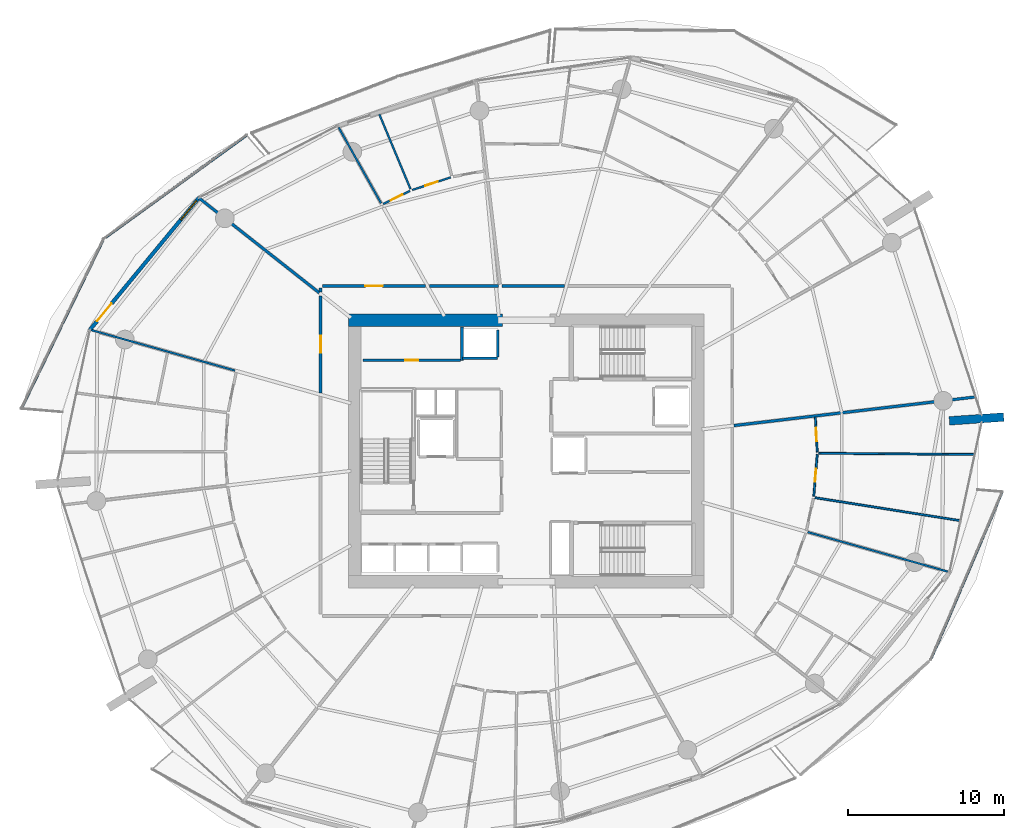
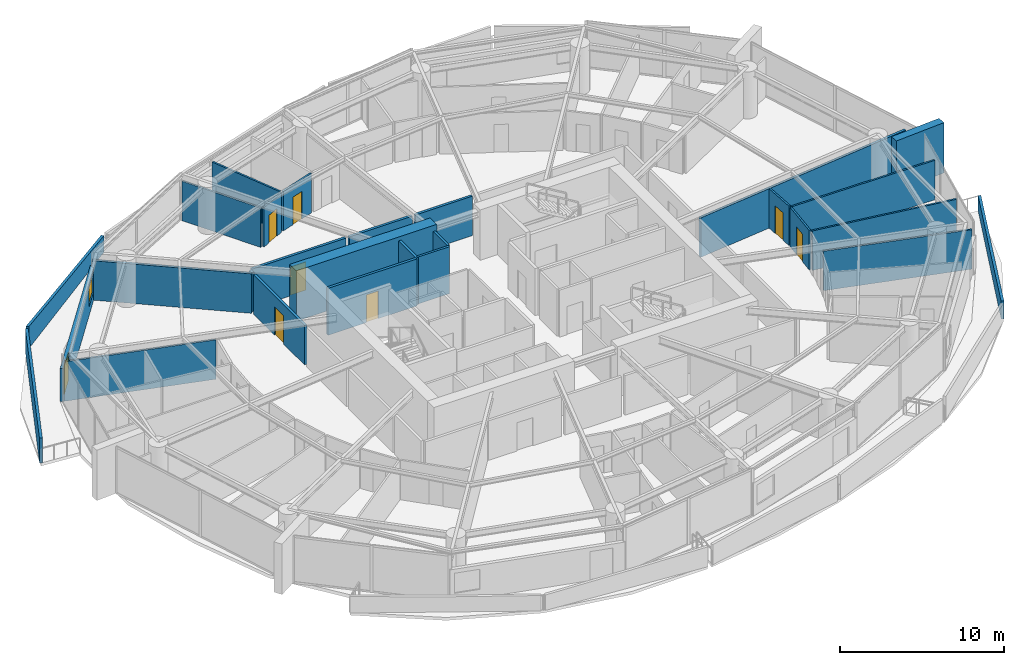
# One storey, part 14 of 23: 27 walls, 8 doors, 1 window, 9 openings.
"""IFC4 building model written with IfcOpenShell, lengths in metres."""

from ifc_helpers import new_model, si_unit, direction, frame, frame_2d, origin, place, context, subcontext, project, spatial, polyline, rectangle, outline, extrude, material, layer, layer_set, type_object, element, fill, save


model = new_model("IFC4")

# Units and contexts
model_context = context("Model", 3, precision=1e-05, world=origin(), true_north=direction((0.0, 1.0)))
body_context = subcontext(model_context, "Body", "Model", "MODEL_VIEW")
ifc_project = project(units=[si_unit("LENGTHUNIT", "METRE"), si_unit("AREAUNIT", "SQUARE_METRE"), si_unit("VOLUMEUNIT", "CUBIC_METRE"), si_unit("PLANEANGLEUNIT", "RADIAN"), si_unit("MASSUNIT", "GRAM", prefix="KILO")], contexts=[model_context])

# Site, building, storey
site_placement = place(None, origin())
site = spatial("IfcSite", under=ifc_project, at=site_placement, CompositionType="ELEMENT")
building_placement = place(site_placement, origin())
building = spatial("IfcBuilding", under=site, at=building_placement, Name="Kazma Halo Residences", CompositionType="ELEMENT")
storey_placement = place(building_placement, frame((0.0, 0.0, 101.39990234375)))
storey = spatial("IfcBuildingStorey", under=building, at=storey_placement, Name="L25", CompositionType="ELEMENT", Elevation=101.39990234375)

# Walls
ifc_material_1 = material(Name="White Concrete C50/60 Balustrade", Category="concrete")
ifc_layer_1 = layer(ifc_material_1, 0.179931640625)
ifc_layer_set_1 = layer_set([ifc_layer_1], Name="White Concrete C50/60 Balustrade")
wall_type_1 = type_object("IfcWallType", Name="WL-BAL-WAVE-180", PredefinedType="PARAPET", material=ifc_layer_set_1)
wall_1_placement = place(storey_placement, frame((30.4501953125, 62.295654296875, 0.0), z_axis=(0.0, 0.0, 1.0), x_axis=(-0.809764200103, -0.58675543477, 0.0)))
element("IfcWall", 1, at=wall_1_placement, inside=storey, type_object=wall_type_1, Name="L25 white wave balustrade wall NW.1", PredefinedType="PARAPET", context=body_context, shape_type="SweptSolid", body=[
    extrude(outline(polyline([(0.0, 0.0), (11.240966796875, 0.0), (11.2412109375, 1.632080078125), (5.62060546875, 1.418212890625), (0.0, 1.233154296875), (0.0, 0.0)])), frame((0.0, 0.08984375, 0.0), z_axis=(0.0, -1.0, 0.0), x_axis=(1.0, 0.0, 0.0)), (0.0, 0.0, 1.0), 0.179931640625),
])
wall_2_placement = place(storey_placement, frame((21.197998046875, 55.521484375, 0.0), z_axis=(0.0, 0.0, 1.0), x_axis=(-0.436107839058, -0.89989441198, 0.0)))
element("IfcWall", 2, at=wall_2_placement, inside=storey, type_object=wall_type_1, Name="L25 white wave balustrade wall NW.2", PredefinedType="PARAPET", context=body_context, shape_type="SweptSolid", body=[
    extrude(outline(polyline([(0.0, 0.0), (12.004638671875, 0.0), (12.0048828125, 1.860107421875), (6.00244140625, 1.798095703125), (0.0, 1.632080078125), (0.0, 0.0)])), frame((0.0, 0.08984375, 0.0), z_axis=(0.0, -1.0, 0.0), x_axis=(1.0, 0.0, 0.0)), (0.0, 0.0, 1.0), 0.179931640625),
])
wall_3_placement = place(storey_placement, frame((74.44189453125, 28.66162109375, 0.0), z_axis=(0.0, 0.0, 1.0), x_axis=(0.391761113394, 0.920066970406, 0.0)))
element("IfcWall", 3, at=wall_3_placement, inside=storey, type_object=wall_type_1, Name="L25 white wave balustrade wall SE.2", PredefinedType="PARAPET", context=body_context, shape_type="SweptSolid", body=[
    extrude(outline(polyline([(0.0, 0.0), (11.637939453125, 0.0), (11.63818359375, 1.1201171875), (5.819091796875, 1.18212890625), (0.0, 1.34814453125), (0.0, 0.0)])), frame((0.0, 0.08984375, 0.0), z_axis=(0.0, -1.0, 0.0), x_axis=(1.0, 0.0, 0.0)), (0.0, 0.0, 1.0), 0.179931640625),
])
ifc_material_2 = material(Name="Pale Concrete C60/75", Category="concrete")
ifc_layer_2 = layer(ifc_material_2, 0.550048828125)
ifc_layer_set_2 = layer_set([ifc_layer_2], Name="Pale Concrete C60/75")
wall_type_2 = type_object("IfcWallType", Name="WL-BLADE-550", PredefinedType="SOLIDWALL", material=ifc_layer_set_2)
wall_4_placement = place(storey_placement, frame((75.606201171875, 43.930419921875, 0.0), z_axis=(0.0, 0.0, 1.0), x_axis=(0.997564163539, 0.069754853754, 0.0)))
element("IfcWall", 4, at=wall_4_placement, inside=storey, type_object=wall_type_2, Name="L25 pale concrete structural blade fin wall BW-04", PredefinedType="SOLIDWALL", context=body_context, shape_type="SweptSolid", body=[
    extrude(rectangle(XDim=3.5, YDim=0.550048828125, at=frame_2d((1.75, 0.0))), origin(), (0.0, 0.0, 1.0), 3.75),
])
ifc_material_3 = material(Name="Concrete C80/95", Category="concrete")
ifc_layer_3 = layer(ifc_material_3, 0.800048828125)
ifc_layer_set_3 = layer_set([ifc_layer_3], Name="Concrete C80/95")
wall_type_3 = type_object("IfcWallType", Name="WL-CORE-800", PredefinedType="SHEAR", material=ifc_layer_set_3)
wall_5_placement = place(storey_placement, frame((37.0, 50.39990234375, 0.0), z_axis=(0.0, 0.0, 1.0), x_axis=(1.0, 0.0, 0.0)))
element("IfcWall", 5, at=wall_5_placement, inside=storey, type_object=wall_type_3, Name="L25 central core shear wall NW", PredefinedType="SHEAR", context=body_context, shape_type="SweptSolid", body=[
    extrude(rectangle(XDim=9.89990234375, YDim=0.800048828125, at=frame_2d((4.949951171875, 0.0))), origin(), (0.0, 0.0, 1.0), 3.75),
])
ifc_material_4 = material(Name="Acoustic Twin-Stud Gypsum")
ifc_layer_4 = layer(ifc_material_4, 0.179931640625)
ifc_layer_set_4 = layer_set([ifc_layer_4], Name="Acoustic Twin-Stud Gypsum")
wall_type_4 = type_object("IfcWallType", Name="WL-DEM-180", PredefinedType="PARTITIONING", material=ifc_layer_set_4)
wall_6_placement = place(storey_placement, frame((35.113525390625, 52.15869140625, 0.0), z_axis=(0.0, 0.0, 1.0), x_axis=(-0.785295873565, 0.619120659453, 0.0)))
element("IfcWall", 6, at=wall_6_placement, inside=storey, type_object=wall_type_4, Name="L25 apartment demising radial wall 05", PredefinedType="PARTITIONING", context=body_context, shape_type="SweptSolid", body=[
    extrude(rectangle(XDim=9.828857421875, YDim=0.179931640625, at=frame_2d((4.91455078125, 0.0))), origin(), (0.0, 0.0, 1.0), 2.940185546875),
])
wall_7_placement = place(storey_placement, frame((61.75927734375, 43.62841796875, 0.0), z_axis=(0.0, 0.0, 1.0), x_axis=(0.99306822875, 0.117539325539, 0.0)))
element("IfcWall", 7, at=wall_7_placement, inside=storey, type_object=wall_type_4, Name="L25 apartment demising radial wall 15", PredefinedType="PARTITIONING", context=body_context, shape_type="SweptSolid", body=[
    extrude(rectangle(XDim=15.6240234375, YDim=0.179931640625, at=frame_2d((7.81201171875, 0.0))), origin(), (0.0, 0.0, 1.0), 2.940185546875),
])

# Wall, opening, door
wall_8_placement = place(storey_placement, frame((35.199951171875, 51.970703125, 0.0), z_axis=(0.0, 0.0, 1.0), x_axis=(0.0, -1.0, 0.0)))
wall_8 = element("IfcWall", 8, at=wall_8_placement, inside=storey, type_object=wall_type_4, Name="L25 Apartment 1 entrance corridor wall", PredefinedType="PARTITIONING", context=body_context, shape_type="SweptSolid", body=[
    extrude(rectangle(XDim=6.24072265625, YDim=0.179931640625, at=frame_2d((3.120361328125, 0.0))), origin(), (0.0, 0.0, 1.0), 2.940185546875),
])
opening_1_placement = place(wall_8_placement, frame((2.5703125, 0.0, 0.0)))
opening_1 = element("IfcOpeningElement", 9, at=opening_1_placement, cuts=wall_8, Name="Opening DA-1100", PredefinedType="OPENING", context=body_context, shape_type="SweptSolid", body=[
    extrude(rectangle(XDim=1.10009765625, YDim=2.10009765625, at=frame_2d((0.550048828125, 1.050048828125))), frame((0.0, 0.099853515625, 0.0), z_axis=(0.0, -1.0, 0.0), x_axis=(1.0, 0.0, 0.0)), (0.0, 0.0, 1.0), 0.199951171875),
])
ifc_material_5 = material(Name="Acoustic Walnut Fire Leaf")
door_type_1 = type_object("IfcDoorType", Name="DR-FD60-1100", OperationType="NOTDEFINED", PredefinedType="DOOR", material=ifc_material_5)
door_1_placement = place(opening_1_placement, origin())
door_1 = element("IfcDoor", 10, at=door_1_placement, inside=storey, type_object=door_type_1, Name="L25 Apartment 1 entrance fire door", OperationType="SINGLE_SWING_LEFT", OverallHeight=2.10009765625, OverallWidth=1.10009765625, PredefinedType="DOOR", context=body_context, shape_type="SweptSolid", body=[
    extrude(rectangle(XDim=1.10009765625, YDim=2.10009765625, at=frame_2d((0.550048828125, 1.050048828125))), frame((0.0, 0.02490234375, 0.0), z_axis=(0.0, -1.0, 0.0), x_axis=(1.0, 0.0, 0.0)), (0.0, 0.0, 1.0), 0.050048828125),
])
fill(opening_1, door_1)

# Wall
wall_9_placement = place(storey_placement, frame((50.869384765625, 52.60009765625, 0.0), z_axis=(0.0, 0.0, 1.0), x_axis=(-1.0, 0.0, 0.0)))
element("IfcWall", 11, at=wall_9_placement, inside=storey, type_object=wall_type_4, Name="L25 Apartment 4 inner wall 2", PredefinedType="PARTITIONING", context=body_context, shape_type="SweptSolid", body=[
    extrude(rectangle(XDim=4.00390625, YDim=0.179931640625, at=frame_2d((2.001953125, 0.0))), origin(), (0.0, 0.0, 1.0), 2.940185546875),
])

# Wall, opening, door
wall_10_placement = place(storey_placement, frame((41.943603515625, 52.60009765625, 0.0), z_axis=(0.0, 0.0, 1.0), x_axis=(-1.0, 0.0, 0.0)))
wall_10 = element("IfcWall", 12, at=wall_10_placement, inside=storey, type_object=wall_type_4, Name="L25 Apartment 5 entrance corridor wall", PredefinedType="PARTITIONING", context=body_context, shape_type="SweptSolid", body=[
    extrude(rectangle(XDim=6.62353515625, YDim=0.179931640625, at=frame_2d((3.311767578125, 0.0))), origin(), (0.0, 0.0, 1.0), 2.940185546875),
])
opening_2_placement = place(wall_10_placement, frame((2.76171875, 0.0, 0.0)))
opening_2 = element("IfcOpeningElement", 13, at=opening_2_placement, cuts=wall_10, Name="Opening DA-1100", PredefinedType="OPENING", context=body_context, shape_type="SweptSolid", body=[
    extrude(rectangle(XDim=1.10009765625, YDim=2.10009765625, at=frame_2d((0.550048828125, 1.050048828125))), frame((0.0, 0.099853515625, 0.0), z_axis=(0.0, -1.0, 0.0), x_axis=(1.0, 0.0, 0.0)), (0.0, 0.0, 1.0), 0.199951171875),
])
door_2_placement = place(opening_2_placement, origin())
door_2 = element("IfcDoor", 14, at=door_2_placement, inside=storey, type_object=door_type_1, Name="L25 Apartment 5 entrance fire door", OperationType="SINGLE_SWING_LEFT", OverallHeight=2.10009765625, OverallWidth=1.10009765625, PredefinedType="DOOR", context=body_context, shape_type="SweptSolid", body=[
    extrude(rectangle(XDim=1.10009765625, YDim=2.10009765625, at=frame_2d((0.550048828125, 1.050048828125))), frame((0.0, 0.02490234375, 0.0), z_axis=(0.0, -1.0, 0.0), x_axis=(1.0, 0.0, 0.0)), (0.0, 0.0, 1.0), 0.050048828125),
])
fill(opening_2, door_2)

# Walls
wall_11_placement = place(storey_placement, frame((35.199951171875, 52.47998046875, 0.0), z_axis=(0.0, 0.0, 1.0), x_axis=(0.0, -1.0, 0.0)))
element("IfcWall", 15, at=wall_11_placement, inside=storey, type_object=wall_type_4, Name="L25 Apartment 5 entrance corridor wall", PredefinedType="PARTITIONING", context=body_context, shape_type="SweptSolid", body=[
    extrude(rectangle(XDim=0.269287109375, YDim=0.179931640625, at=frame_2d((0.134765625, 0.0))), origin(), (0.0, 0.0, 1.0), 2.940185546875),
])
wall_12_placement = place(storey_placement, frame((46.62548828125, 52.60009765625, 0.0), z_axis=(0.0, 0.0, 1.0), x_axis=(-1.0, 0.0, 0.0)))
element("IfcWall", 16, at=wall_12_placement, inside=storey, type_object=wall_type_4, Name="L25 Apartment 5 inner wall 3", PredefinedType="PARTITIONING", context=body_context, shape_type="SweptSolid", body=[
    extrude(rectangle(XDim=4.44189453125, YDim=0.179931640625, at=frame_2d((2.220947265625, 0.0))), origin(), (0.0, 0.0, 1.0), 2.940185546875),
])

# Wall, openings, door, window
ifc_material_6 = material(Name="Insulated Pale-Metal Composite Wall")
ifc_layer_5 = layer(ifc_material_6, 0.239990234375)
ifc_layer_set_5 = layer_set([ifc_layer_5], Name="Insulated Pale-Metal Composite Wall")
wall_type_5 = type_object("IfcWallType", Name="WL-EXT-HOST-240", PredefinedType="SOLIDWALL", material=ifc_layer_set_5)
wall_13_placement = place(storey_placement, frame((27.406982421875, 58.2978515625, 0.0), z_axis=(0.0, 0.0, 1.0), x_axis=(-0.636704975, -0.771107498868, 0.0)))
wall_13 = element("IfcWall", 17, at=wall_13_placement, inside=storey, type_object=wall_type_5, Name="L25 exterior terrace-access wall B06", PredefinedType="SOLIDWALL", context=body_context, shape_type="SweptSolid", body=[
    extrude(rectangle(XDim=11.084228515625, YDim=0.239990234375, at=frame_2d((5.5419921875, 0.0))), origin(), (0.0, 0.0, 1.0), 2.4501953125),
])
opening_3_placement = place(wall_13_placement, frame((8.8642578125, 0.0, 0.0)))
opening_3 = element("IfcOpeningElement", 18, at=opening_3_placement, cuts=wall_13, Name="Opening DTR-1600", PredefinedType="OPENING", context=body_context, shape_type="SweptSolid", body=[
    extrude(rectangle(XDim=1.449951171875, YDim=2.14990234375, at=frame_2d((0.72509765625, 1.074951171875))), frame((0.0, 0.1298828125, 0.0), z_axis=(0.0, -1.0, 0.0), x_axis=(1.0, 0.0, 0.0)), (0.0, 0.0, 1.0), 0.260009765625),
])
opening_4_placement = place(wall_13_placement, frame((0.280029296875, 0.0, 0.64990234375)))
opening_4 = element("IfcOpeningElement", 19, at=opening_4_placement, cuts=wall_13, Name="Opening W-1800", PredefinedType="OPENING", context=body_context, shape_type="SweptSolid", body=[
    extrude(rectangle(XDim=1.60009765625, YDim=1.5, at=frame_2d((0.800048828125, 0.75))), frame((0.0, 0.1298828125, 0.0), z_axis=(0.0, -1.0, 0.0), x_axis=(1.0, 0.0, 0.0)), (0.0, 0.0, 1.0), 0.260009765625),
])
ifc_material_7 = material(Name="Aluminium AW-6063 T6 Double-Glazed Terrace Door", Category="aluminium")
door_type_2 = type_object("IfcDoorType", Name="DR-EXT-TERR-1600", OperationType="NOTDEFINED", PredefinedType="DOOR", material=ifc_material_7)
door_3_placement = place(opening_3_placement, origin())
door_3 = element("IfcDoor", 20, at=door_3_placement, inside=storey, type_object=door_type_2, Name="L25 B06 balcony terrace door", OperationType="DOUBLE_DOOR_SLIDING", OverallHeight=2.14990234375, OverallWidth=1.449951171875, PredefinedType="DOOR", context=body_context, shape_type="SweptSolid", body=[
    extrude(rectangle(XDim=1.449951171875, YDim=2.14990234375, at=frame_2d((0.72509765625, 1.074951171875))), frame((0.0, 0.02490234375, 0.0), z_axis=(0.0, -1.0, 0.0), x_axis=(1.0, 0.0, 0.0)), (0.0, 0.0, 1.0), 0.050048828125),
])
fill(opening_3, door_3)
ifc_material_8 = material(Name="Clear Triple-Silver Low-E Glass in Aluminium AW-6063 T6 Frame", Category="aluminium")
window_type = type_object("IfcWindowType", Name="WIN-RES-1800", PartitioningType="DOUBLE_PANEL_VERTICAL", PredefinedType="WINDOW", material=ifc_material_8)
window_placement = place(opening_4_placement, origin())
window = element("IfcWindow", 21, at=window_placement, inside=storey, type_object=window_type, Name="L25 B06 apartment window", OverallHeight=1.5, OverallWidth=1.60009765625, PartitioningType="SINGLE_PANEL", PredefinedType="WINDOW", context=body_context, shape_type="SweptSolid", body=[
    extrude(rectangle(XDim=1.60009765625, YDim=1.5, at=frame_2d((0.800048828125, 0.75))), frame((0.0, 0.030029296875, 0.0), z_axis=(0.0, -1.0, 0.0), x_axis=(1.0, 0.0, 0.0)), (0.0, 0.0, 1.0), 0.06005859375),
])
fill(opening_4, window)

# Walls
ifc_material_9 = material(Name="Fire-Rated Blockwork Masonry", Category="masonry")
ifc_layer_6 = layer(ifc_material_9, 0.199951171875)
ifc_layer_set_6 = layer_set([ifc_layer_6], Name="Fire-Rated Blockwork Masonry")
wall_type_6 = type_object("IfcWallType", Name="WL-FLB-200", PredefinedType="PARTITIONING", material=ifc_layer_set_6)
wall_14_placement = place(storey_placement, frame((46.580078125, 47.945068359375, 0.0), z_axis=(0.0, 0.0, 1.0), x_axis=(-1.0, 0.0, 0.0)))
element("IfcWall", 22, at=wall_14_placement, inside=storey, type_object=wall_type_6, Name="L25 lift shaft PX-01 front wall", PredefinedType="PARTITIONING", context=body_context, shape_type="SweptSolid", body=[
    extrude(rectangle(XDim=2.260009765625, YDim=0.159912109375, at=frame_2d((1.1298828125, 0.0))), origin(), (0.0, 0.0, 1.0), 3.5),
])
wall_15_placement = place(storey_placement, frame((46.580078125, 48.044921875, 0.0), z_axis=(0.0, 0.0, 1.0), x_axis=(0.0, 1.0, 0.0)))
element("IfcWall", 23, at=wall_15_placement, inside=storey, type_object=wall_type_6, Name="L25 lift shaft PX-01 side wall E", PredefinedType="PARTITIONING", context=body_context, shape_type="SweptSolid", body=[
    extrude(rectangle(XDim=1.7099609375, YDim=0.159912109375, at=frame_2d((0.85498046875, 0.0))), origin(), (0.0, 0.0, 1.0), 3.5),
])

# Wall, opening, door
wall_16_placement = place(storey_placement, frame((37.919921875, 47.820068359375, 0.0), z_axis=(0.0, 0.0, 1.0), x_axis=(1.0, 0.0, 0.0)))
wall_16 = element("IfcWall", 24, at=wall_16_placement, inside=storey, type_object=wall_type_6, Name="L25 core north reserve wall", PredefinedType="PARTITIONING", context=body_context, shape_type="SweptSolid", body=[
    extrude(rectangle(XDim=6.260009765625, YDim=0.179931640625, at=frame_2d((3.1298828125, 0.0))), origin(), (0.0, 0.0, 1.0), 3.5),
])
opening_5_placement = place(wall_16_placement, frame((2.705078125, 0.0, 0.0)))
opening_5 = element("IfcOpeningElement", 25, at=opening_5_placement, cuts=wall_16, Name="Opening DS-850", PredefinedType="OPENING", context=body_context, shape_type="SweptSolid", body=[
    extrude(rectangle(XDim=0.85009765625, YDim=2.06005859375, at=frame_2d((0.425048828125, 1.030029296875))), frame((0.0, 0.099853515625, 0.0), z_axis=(0.0, -1.0, 0.0), x_axis=(1.0, 0.0, 0.0)), (0.0, 0.0, 1.0), 0.199951171875),
])
ifc_material_10 = material(Name="Painted Steel Access Leaf", Category="steel")
door_type_3 = type_object("IfcDoorType", Name="DR-SVC-850", OperationType="NOTDEFINED", PredefinedType="DOOR", material=ifc_material_10)
door_4_placement = place(opening_5_placement, origin())
door_4 = element("IfcDoor", 26, at=door_4_placement, inside=storey, type_object=door_type_3, Name="L25 core north reserve door", OperationType="SINGLE_SWING_LEFT", OverallHeight=2.06005859375, OverallWidth=0.85009765625, PredefinedType="DOOR", context=body_context, shape_type="SweptSolid", body=[
    extrude(rectangle(XDim=0.85009765625, YDim=2.06005859375, at=frame_2d((0.425048828125, 1.030029296875))), frame((0.0, 0.02490234375, 0.0), z_axis=(0.0, -1.0, 0.0), x_axis=(1.0, 0.0, 0.0)), (0.0, 0.0, 1.0), 0.050048828125),
])
fill(opening_5, door_4)

# Walls
wall_17_placement = place(storey_placement, frame((44.280029296875, 47.820068359375, 0.0), z_axis=(0.0, 0.0, 1.0), x_axis=(0.0, 1.0, 0.0)))
element("IfcWall", 27, at=wall_17_placement, inside=storey, type_object=wall_type_6, Name="L25 PX-01 hoistway west wall", PredefinedType="PARTITIONING", context=body_context, shape_type="SweptSolid", body=[
    extrude(rectangle(XDim=2.1298828125, YDim=0.179931640625, at=frame_2d((1.06494140625, 0.0))), origin(), (0.0, 0.0, 1.0), 3.5),
])
ifc_material_11 = material(Name="Gypsum Plasterboard Partition")
ifc_layer_7 = layer(ifc_material_11, 0.125)
ifc_layer_set_7 = layer_set([ifc_layer_7], Name="Gypsum Plasterboard Partition")
wall_type_7 = type_object("IfcWallType", Name="WL-PART-125", PredefinedType="PARTITIONING", material=ifc_layer_set_7)
wall_18_placement = place(storey_placement, frame((29.695068359375, 47.16259765625, 0.0), z_axis=(0.0, 0.0, 1.0), x_axis=(-0.962455839824, 0.271438310467, 0.0)))
element("IfcWall", 28, at=wall_18_placement, inside=storey, type_object=wall_type_7, Name="L25 Apartment 1 radial partition 6", PredefinedType="PARTITIONING", context=body_context, shape_type="SweptSolid", body=[
    extrude(rectangle(XDim=9.552001953125, YDim=0.125, at=frame_2d((4.77587890625, 0.0))), origin(), (0.0, 0.0, 1.0), 2.940185546875),
])
wall_19_placement = place(storey_placement, frame((66.500244140625, 36.782470703125, 0.0), z_axis=(0.0, 0.0, 1.0), x_axis=(0.962451600307, -0.271453342338, 0.0)))
element("IfcWall", 29, at=wall_19_placement, inside=storey, type_object=wall_type_7, Name="L25 Apartment 3 radial partition 14", PredefinedType="PARTITIONING", context=body_context, shape_type="SweptSolid", body=[
    extrude(rectangle(XDim=9.34912109375, YDim=0.125, at=frame_2d((4.674560546875, 0.0))), origin(), (0.0, 0.0, 1.0), 2.940185546875),
])
wall_20_placement = place(storey_placement, frame((66.9755859375, 38.99462890625, 0.0), z_axis=(0.0, 0.0, 1.0), x_axis=(0.987686752204, -0.156444493419, 0.0)))
element("IfcWall", 30, at=wall_20_placement, inside=storey, type_object=wall_type_7, Name="L25 Apartment 3 bay wall 1 14", PredefinedType="PARTITIONING", context=body_context, shape_type="SweptSolid", body=[
    extrude(rectangle(XDim=9.44287109375, YDim=0.125, at=frame_2d((4.721435546875, 0.0))), origin(), (0.0, 0.0, 1.0), 2.940185546875),
])
wall_21_placement = place(storey_placement, frame((67.21142578125, 41.84912109375, 0.0), z_axis=(0.0, 0.0, 1.0), x_axis=(0.999969120795, -0.007858591192, 0.0)))
element("IfcWall", 31, at=wall_21_placement, inside=storey, type_object=wall_type_7, Name="L25 Apartment 3 bay wall 2 14", PredefinedType="PARTITIONING", context=body_context, shape_type="SweptSolid", body=[
    extrude(rectangle(XDim=10.00341796875, YDim=0.125, at=frame_2d((5.001708984375, 0.0))), origin(), (0.0, 0.0, 1.0), 2.940185546875),
])

# Wall, opening, door
wall_22_placement = place(storey_placement, frame((66.893310546875, 39.08837890625, 0.0), z_axis=(0.0, 0.0, 1.0), x_axis=(0.082294564914, 0.996608049629, 0.0)))
wall_22 = element("IfcWall", 32, at=wall_22_placement, inside=storey, type_object=wall_type_7, Name="L25 Apartment 3 West Dressing Wardrobe hall wall", PredefinedType="PARTITIONING", context=body_context, shape_type="SweptSolid", body=[
    extrude(rectangle(XDim=2.690673828125, YDim=0.125, at=frame_2d((1.34521484375, 0.0))), origin(), (0.0, 0.0, 1.0), 2.940185546875),
])
opening_6_placement = place(wall_22_placement, frame((0.92041015625, 0.0, 0.0)))
opening_6 = element("IfcOpeningElement", 33, at=opening_6_placement, cuts=wall_22, Name="Opening DB-900", PredefinedType="OPENING", context=body_context, shape_type="SweptSolid", body=[
    extrude(rectangle(XDim=0.85009765625, YDim=2.06005859375, at=frame_2d((0.425048828125, 1.030029296875))), frame((0.0, 0.072509765625, 0.0), z_axis=(0.0, -1.0, 0.0), x_axis=(1.0, 0.0, 0.0)), (0.0, 0.0, 1.0), 0.14501953125),
])
ifc_material_12 = material(Name="Moisture-Sealed Timber Leaf", Category="wood")
door_type_4 = type_object("IfcDoorType", Name="DR-BTH-900", OperationType="NOTDEFINED", PredefinedType="DOOR", material=ifc_material_12)
door_5_placement = place(opening_6_placement, origin())
door_5 = element("IfcDoor", 34, at=door_5_placement, inside=storey, type_object=door_type_4, Name="L25 Apartment 3 West Dressing Wardrobe door", OperationType="SINGLE_SWING_RIGHT", OverallHeight=2.06005859375, OverallWidth=0.85009765625, PredefinedType="DOOR", context=body_context, shape_type="SweptSolid", body=[
    extrude(rectangle(XDim=0.85009765625, YDim=2.06005859375, at=frame_2d((0.425048828125, 1.030029296875))), frame((0.0, 0.02490234375, 0.0), z_axis=(0.0, -1.0, 0.0), x_axis=(1.0, 0.0, 0.0)), (0.0, 0.0, 1.0), 0.050048828125),
])
fill(opening_6, door_5)

wall_23_placement = place(storey_placement, frame((67.116943359375, 41.9296875, 0.0), z_axis=(0.0, 0.0, 1.0), x_axis=(-0.054896910866, 0.998492027598, 0.0)))
wall_23 = element("IfcWall", 35, at=wall_23_placement, inside=storey, type_object=wall_type_7, Name="L25 Apartment 3 North Bedroom hall wall", PredefinedType="PARTITIONING", context=body_context, shape_type="SweptSolid", body=[
    extrude(rectangle(XDim=2.241455078125, YDim=0.125, at=frame_2d((1.12060546875, 0.0))), origin(), (0.0, 0.0, 1.0), 2.940185546875),
])
opening_7_placement = place(wall_23_placement, frame((0.69580078125, 0.0, 0.0)))
opening_7 = element("IfcOpeningElement", 36, at=opening_7_placement, cuts=wall_23, Name="Opening DB-900", PredefinedType="OPENING", context=body_context, shape_type="SweptSolid", body=[
    extrude(rectangle(XDim=0.85009765625, YDim=2.06005859375, at=frame_2d((0.425048828125, 1.030029296875))), frame((0.0, 0.072509765625, 0.0), z_axis=(0.0, -1.0, 0.0), x_axis=(1.0, 0.0, 0.0)), (0.0, 0.0, 1.0), 0.14501953125),
])
door_6_placement = place(opening_7_placement, origin())
door_6 = element("IfcDoor", 37, at=door_6_placement, inside=storey, type_object=door_type_4, Name="L25 Apartment 3 North Bedroom door", OperationType="SINGLE_SWING_LEFT", OverallHeight=2.06005859375, OverallWidth=0.85009765625, PredefinedType="DOOR", context=body_context, shape_type="SweptSolid", body=[
    extrude(rectangle(XDim=0.85009765625, YDim=2.06005859375, at=frame_2d((0.425048828125, 1.030029296875))), frame((0.0, 0.02490234375, 0.0), z_axis=(0.0, -1.0, 0.0), x_axis=(1.0, 0.0, 0.0)), (0.0, 0.0, 1.0), 0.050048828125),
])
fill(opening_7, door_6)

# Walls
wall_24_placement = place(storey_placement, frame((39.087890625, 57.913330078125, 0.0), z_axis=(0.0, 0.0, 1.0), x_axis=(-0.488595379978, 0.872510489716, 0.0)))
element("IfcWall", 38, at=wall_24_placement, inside=storey, type_object=wall_type_7, Name="L25 Apartment 5 living radial partition 3", PredefinedType="PARTITIONING", context=body_context, shape_type="SweptSolid", body=[
    extrude(rectangle(XDim=5.58349609375, YDim=0.125, at=frame_2d((2.791748046875, 0.0))), origin(), (0.0, 0.0, 1.0), 2.940185546875),
])
wall_25_placement = place(storey_placement, frame((40.9794921875, 58.822998046875, 0.0), z_axis=(0.0, 0.0, 1.0), x_axis=(-0.385130983934, 0.92286192099, 0.0)))
element("IfcWall", 39, at=wall_25_placement, inside=storey, type_object=wall_type_7, Name="L25 Apartment 5 suite divider 3", PredefinedType="PARTITIONING", context=body_context, shape_type="SweptSolid", body=[
    extrude(rectangle(XDim=5.210693359375, YDim=0.125, at=frame_2d((2.60546875, 0.0))), origin(), (0.0, 0.0, 1.0), 2.940185546875),
])

# Wall, opening, door
wall_26_placement = place(storey_placement, frame((43.555419921875, 59.5791015625, 0.0), z_axis=(0.0, 0.0, 1.0), x_axis=(-0.949554185533, -0.313603011364, 0.0)))
wall_26 = element("IfcWall", 40, at=wall_26_placement, inside=storey, type_object=wall_type_7, Name="L25 Apartment 5 Gourmet Kitchen hall wall", PredefinedType="PARTITIONING", context=body_context, shape_type="SweptSolid", body=[
    extrude(rectangle(XDim=2.59619140625, YDim=0.125, at=frame_2d((1.298095703125, 0.0))), origin(), (0.0, 0.0, 1.0), 2.940185546875),
])
opening_8_placement = place(wall_26_placement, frame((0.873291015625, 0.0, 0.0)))
opening_8 = element("IfcOpeningElement", 41, at=opening_8_placement, cuts=wall_26, Name="Opening DB-900", PredefinedType="OPENING", context=body_context, shape_type="SweptSolid", body=[
    extrude(rectangle(XDim=0.85009765625, YDim=2.06005859375, at=frame_2d((0.425048828125, 1.030029296875))), frame((0.0, 0.072509765625, 0.0), z_axis=(0.0, -1.0, 0.0), x_axis=(1.0, 0.0, 0.0)), (0.0, 0.0, 1.0), 0.14501953125),
])
door_7_placement = place(opening_8_placement, origin())
door_7 = element("IfcDoor", 42, at=door_7_placement, inside=storey, type_object=door_type_4, Name="L25 Apartment 5 Gourmet Kitchen door", OperationType="SINGLE_SWING_LEFT", OverallHeight=2.06005859375, OverallWidth=0.85009765625, PredefinedType="DOOR", context=body_context, shape_type="SweptSolid", body=[
    extrude(rectangle(XDim=0.85009765625, YDim=2.06005859375, at=frame_2d((0.425048828125, 1.030029296875))), frame((0.0, 0.02490234375, 0.0), z_axis=(0.0, -1.0, 0.0), x_axis=(1.0, 0.0, 0.0)), (0.0, 0.0, 1.0), 0.050048828125),
])
fill(opening_8, door_7)

wall_27_placement = place(storey_placement, frame((40.9423828125, 58.704833984375, 0.0), z_axis=(0.0, 0.0, 1.0), x_axis=(-0.899211958503, -0.437513261153, 0.0)))
wall_27 = element("IfcWall", 43, at=wall_27_placement, inside=storey, type_object=wall_type_7, Name="L25 Apartment 5 Primary Bedroom hall wall", PredefinedType="PARTITIONING", context=body_context, shape_type="SweptSolid", body=[
    extrude(rectangle(XDim=1.907958984375, YDim=0.125, at=frame_2d((0.9541015625, 0.0))), origin(), (0.0, 0.0, 1.0), 2.940185546875),
])
opening_9_placement = place(wall_27_placement, frame((0.52880859375, 0.0, 0.0)))
opening_9 = element("IfcOpeningElement", 44, at=opening_9_placement, cuts=wall_27, Name="Opening DB-900", PredefinedType="OPENING", context=body_context, shape_type="SweptSolid", body=[
    extrude(rectangle(XDim=0.85009765625, YDim=2.06005859375, at=frame_2d((0.425048828125, 1.030029296875))), frame((0.0, 0.072509765625, 0.0), z_axis=(0.0, -1.0, 0.0), x_axis=(1.0, 0.0, 0.0)), (0.0, 0.0, 1.0), 0.14501953125),
])
door_8_placement = place(opening_9_placement, origin())
door_8 = element("IfcDoor", 45, at=door_8_placement, inside=storey, type_object=door_type_4, Name="L25 Apartment 5 Primary Bedroom door", OperationType="SINGLE_SWING_RIGHT", OverallHeight=2.06005859375, OverallWidth=0.85009765625, PredefinedType="DOOR", context=body_context, shape_type="SweptSolid", body=[
    extrude(rectangle(XDim=0.85009765625, YDim=2.06005859375, at=frame_2d((0.425048828125, 1.030029296875))), frame((0.0, 0.02490234375, 0.0), z_axis=(0.0, -1.0, 0.0), x_axis=(1.0, 0.0, 0.0)), (0.0, 0.0, 1.0), 0.050048828125),
])
fill(opening_9, door_8)

save(model, "model.ifc")
